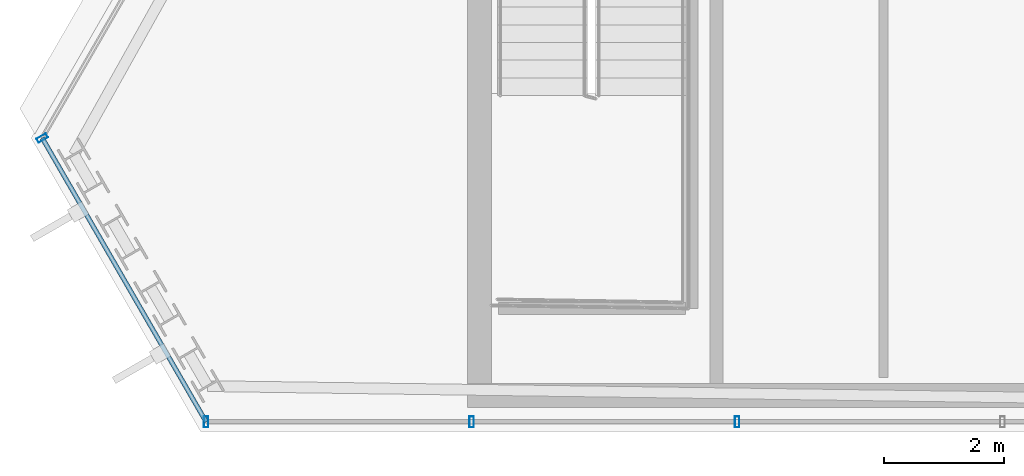
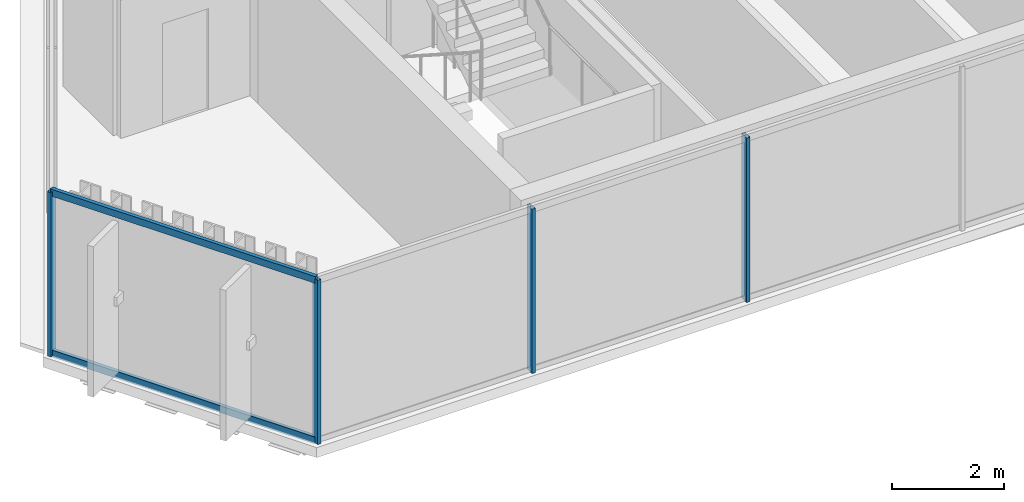
# One storey, part 3 of 34: 6 members, 2 elements without a shape of their own.
"""IFC4 building model written with IfcOpenShell, lengths in metres."""

import ifcopenshell
import ifcopenshell.guid

model = None  # the IFC model being written
_history = None  # IfcOwnerHistory: only IFC2X3 demands one
_inside = {}  # id of a spatial element -> (the spatial element, [elements in it])
_under = {}  # id of a project, library or spatial element -> (it, [spatial elements below it])
_declared = {}  # id of a project -> (the project, [libraries it declares])
_typed = {}  # id of a type object -> (the type object, [elements of that type])
_made_of = {}  # id of a material, layer set ... -> (it, [elements and type objects made of it])


def new_model(schema):
    """Start an empty IFC model of exactly this schema.

    Asked for "IFC4X3", IfcOpenShell would pick the latest addendum, in which some entities
    have other attributes; the version numbers below select the first issue.
    IFC2X3 requires an IfcOwnerHistory on every rooted entity: one is made here for all.
    """
    global model, _history
    if schema == "IFC4X3":
        model = ifcopenshell.file(schema_version=(4, 3, 0, 0))
    else:
        model = ifcopenshell.file(schema=schema)
    _inside.clear()
    _under.clear()
    _declared.clear()
    _typed.clear()
    _made_of.clear()
    _history = None
    if model.schema == "IFC2X3":
        org = make("IfcOrganization", Name="unknown")
        user = make(
            "IfcPersonAndOrganization",
            ThePerson=make("IfcPerson", FamilyName="unknown"),
            TheOrganization=org,
        )
        app = make(
            "IfcApplication",
            ApplicationDeveloper=org,
            Version="unknown",
            ApplicationFullName="unknown",
            ApplicationIdentifier="unknown",
        )
        _history = make(
            "IfcOwnerHistory",
            OwningUser=user,
            OwningApplication=app,
            ChangeAction="ADDED",
            CreationDate=0,
        )
    return model


def make(cls, **values):
    """One entity of the class cls with the attributes given. An attribute that is None is left unset."""
    return model.create_entity(
        cls, **{name: value for name, value in values.items() if value is not None}
    )


def rooted(cls, **values):
    """An entity with a GlobalId (a new one), such as an element, a storey or a relation."""
    return make(cls, GlobalId=ifcopenshell.guid.new(), OwnerHistory=_history, **values)


def si_unit(unit_type, name, prefix=None):
    """IfcSIUnit, for example si_unit("LENGTHUNIT", "METRE", prefix="MILLI")."""
    return make("IfcSIUnit", UnitType=unit_type, Prefix=prefix, Name=name)


def assignment(units):
    """IfcUnitAssignment: the units of a project."""
    return None if units is None else make("IfcUnitAssignment", Units=units)


def point(xyz):
    """IfcCartesianPoint."""
    return None if xyz is None else make("IfcCartesianPoint", Coordinates=xyz)


def direction(xyz):
    """IfcDirection."""
    return None if xyz is None else make("IfcDirection", DirectionRatios=xyz)


def frame(location, z_axis=None, x_axis=None):
    """IfcAxis2Placement3D, a coordinate frame: its origin and axes. An axis left out is left unset."""
    return make(
        "IfcAxis2Placement3D",
        Location=point(location),
        Axis=direction(z_axis),
        RefDirection=direction(x_axis),
    )


def frame_2d(location, x_axis=None):
    """IfcAxis2Placement2D, a coordinate frame in the plane: its origin and x axis."""
    return make(
        "IfcAxis2Placement2D", Location=point(location), RefDirection=direction(x_axis)
    )


def origin():
    """The frame at (0, 0, 0) with its axes left unset."""
    return frame((0.0, 0.0, 0.0))


def origin_2d():
    """The frame at (0, 0) in the plane with its x axis left unset."""
    return frame_2d((0.0, 0.0))


def place(relative_to, where):
    """IfcLocalPlacement: puts the frame where relative to a parent placement (None: the world)."""
    return make(
        "IfcLocalPlacement", PlacementRelTo=relative_to, RelativePlacement=where
    )


def context(
    kind, dimensions, precision=None, world=None, true_north=None, identifier=None
):
    """IfcGeometricRepresentationContext, for example the 3D "Model" context."""
    return make(
        "IfcGeometricRepresentationContext",
        ContextIdentifier=identifier,
        ContextType=kind,
        CoordinateSpaceDimension=dimensions,
        Precision=precision,
        WorldCoordinateSystem=world,
        TrueNorth=true_north,
    )


def subcontext(parent, identifier, kind, view, scale=None):
    """IfcGeometricRepresentationSubContext, for example "Body" below "Model"."""
    return make(
        "IfcGeometricRepresentationSubContext",
        ContextIdentifier=identifier,
        ContextType=kind,
        ParentContext=parent,
        TargetScale=scale,
        TargetView=view,
    )


def project(units=None, contexts=None):
    """IfcProject with its units and contexts."""
    return rooted(
        "IfcProject",
        Name="project",
        RepresentationContexts=contexts,
        UnitsInContext=assignment(units),
    )


def spatial(cls, under=None, at=None, **own):
    """A site, building, storey or space (cls), placed at a placement, below another one or the project."""
    s = rooted(cls, ObjectPlacement=at, **own)
    if under is not None:
        _under.setdefault(under.id(), (under, []))[1].append(s)
    return s


def profile(cls, at=None, kind="AREA", **sizes):
    """A parametric profile (cls). Its sizes go by their IFC names, for example OverallWidth=200.0."""
    return make(cls, ProfileType=kind, Position=at, **sizes)


def hollow_rectangle(**sizes):
    """IfcRectangleHollowProfileDef."""
    return profile("IfcRectangleHollowProfileDef", **sizes)


def extrude(swept, where, along, depth):
    """IfcExtrudedAreaSolid: the profile swept, set in the frame where, extruded along a direction by depth."""
    return make(
        "IfcExtrudedAreaSolid",
        SweptArea=swept,
        Position=where,
        ExtrudedDirection=direction(along),
        Depth=depth,
    )


def shape(context_of_items, identifier, shape_type, items):
    """IfcShapeRepresentation: the items that make up one representation, for example the "Body"."""
    return make(
        "IfcShapeRepresentation",
        ContextOfItems=context_of_items,
        RepresentationIdentifier=identifier,
        RepresentationType=shape_type,
        Items=items,
    )


def material(Name=None, Category=None):
    """IfcMaterial."""
    return make("IfcMaterial", Name=Name, Category=Category)


def layer(
    of_material, thickness, ventilated=None, Name=None, Category=None, Priority=None
):
    """IfcMaterialLayer: one layer of a wall or slab, of a material (None: an air gap)."""
    return make(
        "IfcMaterialLayer",
        Material=of_material,
        LayerThickness=thickness,
        IsVentilated=ventilated,
        Name=Name,
        Category=Category,
        Priority=Priority,
    )


def layer_set(layers, Name=None):
    """IfcMaterialLayerSet."""
    return make("IfcMaterialLayerSet", MaterialLayers=layers, LayerSetName=Name)


def material_profile(
    of_material, cross_section, Name=None, Category=None, Priority=None
):
    """IfcMaterialProfile: a cross section and its material."""
    return make(
        "IfcMaterialProfile",
        Name=Name,
        Material=of_material,
        Profile=cross_section,
        Priority=Priority,
        Category=Category,
    )


def profile_set(profiles, Name=None, composite=None):
    """IfcMaterialProfileSet."""
    return make(
        "IfcMaterialProfileSet",
        Name=Name,
        MaterialProfiles=profiles,
        CompositeProfile=composite,
    )


def made_of(thing, what):
    """Note that an element or type object is made of a material, layer set ...; save() writes the relation."""
    if what is not None:
        _made_of.setdefault(what.id(), (what, []))[1].append(thing)
    return thing


def type_object(cls, material=None, **own):
    """A type object (cls), such as IfcWallType, which elements share."""
    return made_of(rooted(cls, **own), material)


def element(
    cls,
    number,
    at=None,
    inside=None,
    cuts=None,
    type_object=None,
    material=None,
    context=None,
    identifier="Body",
    shape_type=None,
    held_by="IfcProductDefinitionShape",
    body=None,
    shapes=None,
    **own,
):
    """One element of the class cls, such as IfcWall. Its Tag is "e" and its number.

    at: its placement. inside: the storey or other place that contains it. cuts: it is an
    opening in that element (IfcRelVoidsElement). A single representation is given by context,
    identifier, shape_type and body (its items); several are given by shapes. held_by: the class
    of the entity that holds the representations. save() writes the other relations.
    """
    e = rooted(cls, Tag="e%d" % number, ObjectPlacement=at, **own)
    if body is not None:
        shapes = [shape(context, identifier, shape_type, body)]
    if shapes is not None:
        e.Representation = make(held_by, Representations=shapes)
    if inside is not None:
        _inside.setdefault(inside.id(), (inside, []))[1].append(e)
    if cuts is not None:
        rooted(
            "IfcRelVoidsElement", RelatingBuildingElement=cuts, RelatedOpeningElement=e
        )
    if type_object is not None:
        _typed.setdefault(type_object.id(), (type_object, []))[1].append(e)
    return made_of(e, material)


def aggregate(whole, parts):
    """IfcRelAggregates: a whole, such as a stair, and the parts it consists of."""
    return rooted("IfcRelAggregates", RelatingObject=whole, RelatedObjects=parts)


def save(model, path):
    """Write the relations noted so far, then the file.

    IfcRelAggregates (storeys below a building ...), IfcRelContainedInSpatialStructure (elements
    in a storey), IfcRelDefinesByType, IfcRelAssociatesMaterial and IfcRelDeclares: one each for
    every whole, place, type object, material and project.
    """
    for whole, parts in _under.values():
        aggregate(whole, parts)
    for where, things in _inside.values():
        rooted(
            "IfcRelContainedInSpatialStructure",
            RelatedElements=things,
            RelatingStructure=where,
        )
    for kind, things in _typed.values():
        rooted("IfcRelDefinesByType", RelatedObjects=things, RelatingType=kind)
    for what, things in _made_of.values():
        rooted("IfcRelAssociatesMaterial", RelatedObjects=things, RelatingMaterial=what)
    for by, libraries in _declared.values():
        rooted("IfcRelDeclares", RelatingContext=by, RelatedDefinitions=libraries)
    model.write(path)


model = new_model("IFC4")

# Units and contexts
model_context = context("Model", 3, precision=1e-05, world=origin(), true_north=direction((0.0, 1.0)))
body_context = subcontext(model_context, "Body", "Model", "MODEL_VIEW")
ifc_project = project(units=[si_unit("LENGTHUNIT", "METRE"), si_unit("AREAUNIT", "SQUARE_METRE"), si_unit("VOLUMEUNIT", "CUBIC_METRE"), si_unit("PLANEANGLEUNIT", "RADIAN"), si_unit("MASSUNIT", "GRAM", prefix="KILO")], contexts=[model_context])

# Site, building, storey
site_placement = place(None, origin())
site = spatial("IfcSite", under=ifc_project, at=site_placement, CompositionType="ELEMENT")
building_placement = place(site_placement, origin())
building = spatial("IfcBuilding", under=site, at=building_placement, Name="Ndaravel Arena Tower", CompositionType="ELEMENT")
storey_placement = place(building_placement, frame((0.0, 0.0, 263.60009765625)))
storey = spatial("IfcBuildingStorey", under=building, at=storey_placement, Name="L64", CompositionType="ELEMENT", Elevation=263.60009765625)

# Curtain wall, members
ifc_material_1 = material(Name="Aluminium", Category="aluminium")
ifc_layer_1 = layer(ifc_material_1, 0.179931640625)
ifc_layer_set_1 = layer_set([ifc_layer_1], Name="Aluminium")
curtain_wall_type_1 = type_object("IfcCurtainWallType", Name="CW-SYS-03", PredefinedType="NOTDEFINED", material=ifc_layer_set_1)
curtain_wall_1_placement = place(storey_placement, origin())
curtain_wall_1 = element("IfcCurtainWall", 1, at=curtain_wall_1_placement, inside=storey, type_object=curtain_wall_type_1, Name="L64 Faceted Crystal Curtain Wall CW-L64-E01", PredefinedType="NOTDEFINED")
ifc_material_2 = material(Name="Aluminium", Category="aluminium")
ifc_material_profile_1 = material_profile(ifc_material_2, hollow_rectangle(XDim=0.074951171875, YDim=0.179931640625, WallThickness=0.00390625, at=origin_2d()), Name="CW MULLION 75x180x4")
ifc_profile_set_1 = profile_set([ifc_material_profile_1], Name="Aluminium")
member_type_1 = type_object("IfcMemberType", Name="MEM-CW-MUL180", PredefinedType="MULLION", material=ifc_profile_set_1)
member_1_placement = place(storey_placement, frame((22.09912109375, 5.159912109375, 0.0), z_axis=(0.0, 0.0, 1.0), x_axis=(1.0, 0.0, 0.0)))
member_1 = element("IfcMember", 2, at=member_1_placement, type_object=member_type_1, Name="CW-L64-E01 Mullion 00", PredefinedType="MULLION", context=body_context, shape_type="SweptSolid", body=[
    extrude(hollow_rectangle(XDim=0.074951171875, YDim=0.179931640625, WallThickness=0.00390625, at=origin_2d()), origin(), (0.0, 0.0, 1.0), 3.579833984375),
])
member_2_placement = place(storey_placement, frame((26.521484375, 5.159912109375, 0.0), z_axis=(0.0, 0.0, 1.0), x_axis=(1.0, 0.0, 0.0)))
member_2 = element("IfcMember", 3, at=member_2_placement, type_object=member_type_1, Name="CW-L64-E01 Mullion 01", PredefinedType="MULLION", context=body_context, shape_type="SweptSolid", body=[
    extrude(hollow_rectangle(XDim=0.074951171875, YDim=0.179931640625, WallThickness=0.00390625, at=origin_2d()), origin(), (0.0, 0.0, 1.0), 3.579833984375),
])
member_3_placement = place(storey_placement, frame((30.94384765625, 5.159912109375, 0.0), z_axis=(0.0, 0.0, 1.0), x_axis=(1.0, 0.0, 0.0)))
member_3 = element("IfcMember", 4, at=member_3_placement, type_object=member_type_1, Name="CW-L64-E01 Mullion 02", PredefinedType="MULLION", context=body_context, shape_type="SweptSolid", body=[
    extrude(hollow_rectangle(XDim=0.074951171875, YDim=0.179931640625, WallThickness=0.00390625, at=origin_2d()), origin(), (0.0, 0.0, 1.0), 3.579833984375),
])
aggregate(curtain_wall_1, [member_1, member_2, member_3])

ifc_material_3 = material(Name="Aluminium", Category="aluminium")
ifc_layer_2 = layer(ifc_material_3, 0.179931640625)
ifc_layer_set_2 = layer_set([ifc_layer_2], Name="Aluminium")
curtain_wall_type_2 = type_object("IfcCurtainWallType", Name="CW-SYS-02", PredefinedType="NOTDEFINED", material=ifc_layer_set_2)
curtain_wall_2_placement = place(storey_placement, origin())
curtain_wall_2 = element("IfcCurtainWall", 5, at=curtain_wall_2_placement, inside=storey, type_object=curtain_wall_type_2, Name="L64 Faceted Crystal Curtain Wall CW-L64-E06", PredefinedType="NOTDEFINED")
member_4_placement = place(storey_placement, frame((19.368896484375, 9.888916015625, 0.0), z_axis=(0.0, 0.0, 1.0), x_axis=(0.5, -0.866025403784, 0.0)))
member_4 = element("IfcMember", 6, at=member_4_placement, type_object=member_type_1, Name="CW-L64-E06 Mullion 00", PredefinedType="MULLION", context=body_context, shape_type="SweptSolid", body=[
    extrude(hollow_rectangle(XDim=0.074951171875, YDim=0.179931640625, WallThickness=0.00390625, at=origin_2d()), origin(), (0.0, 0.0, 1.0), 3.579833984375),
])
ifc_material_4 = material(Name="Aluminium", Category="aluminium")
ifc_material_profile_2 = material_profile(ifc_material_4, hollow_rectangle(XDim=0.074951171875, YDim=0.14990234375, WallThickness=0.00390625, at=origin_2d()), Name="CW TRANSOM 75x150x4")
ifc_profile_set_2 = profile_set([ifc_material_profile_2], Name="Aluminium")
member_type_2 = type_object("IfcMemberType", Name="MEM-CW-TRN150", PredefinedType="USERDEFINED", material=ifc_profile_set_2)
member_5_placement = place(storey_placement, frame((19.368896484375, 9.888916015625, 0.039794921875), z_axis=(0.499990788139, -0.86603072219, 0.0), x_axis=(0.86603072219, 0.499990788139, 0.0)))
member_5 = element("IfcMember", 7, at=member_5_placement, type_object=member_type_2, Name="CW-L64-E06 Transom 01", ObjectType="TRANSOM", PredefinedType="USERDEFINED", context=body_context, shape_type="SweptSolid", body=[
    extrude(hollow_rectangle(XDim=0.074951171875, YDim=0.14990234375, WallThickness=0.00390625, at=origin_2d()), origin(), (0.0, 0.0, 1.0), 5.46044921875),
])
member_6_placement = place(storey_placement, frame((19.368896484375, 9.888916015625, 3.539794921875), z_axis=(0.499990788139, -0.86603072219, 0.0), x_axis=(0.86603072219, 0.499990788139, 0.0)))
member_6 = element("IfcMember", 8, at=member_6_placement, type_object=member_type_2, Name="CW-L64-E06 Transom 02", ObjectType="TRANSOM", PredefinedType="USERDEFINED", context=body_context, shape_type="SweptSolid", body=[
    extrude(hollow_rectangle(XDim=0.074951171875, YDim=0.14990234375, WallThickness=0.00390625, at=origin_2d()), origin(), (0.0, 0.0, 1.0), 5.46044921875),
])
aggregate(curtain_wall_2, [member_4, member_5, member_6])

save(model, "model.ifc")
